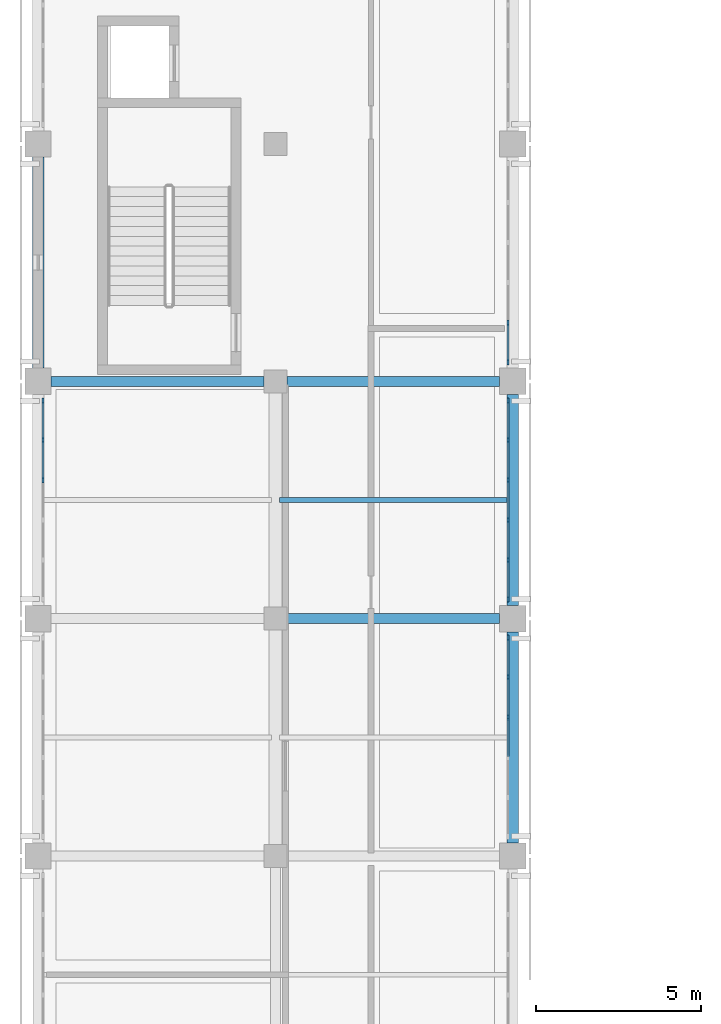
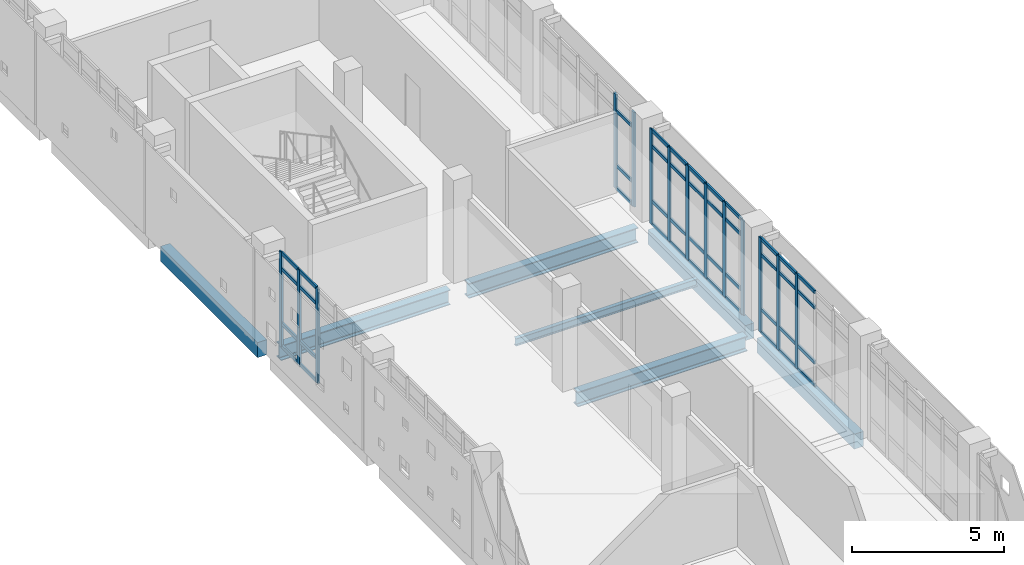
# One storey, part 8 of 33: 57 members, 7 beams, 4 elements without a shape of their own.
"""IFC4 building model written with IfcOpenShell, lengths in metres."""

from ifc_helpers import new_model, si_unit, direction, frame, origin, origin_2d, place, context, subcontext, project, spatial, rectangle, i_section, extrude, material, layer, layer_set, material_profile, profile_set, type_object, element, aggregate, save


model = new_model("IFC4")

# Units and contexts
model_context = context("Model", 3, precision=1e-05, world=origin(), true_north=direction((0.0, 1.0)))
body_context = subcontext(model_context, "Body", "Model", "MODEL_VIEW")
ifc_project = project(units=[si_unit("LENGTHUNIT", "METRE"), si_unit("AREAUNIT", "SQUARE_METRE"), si_unit("VOLUMEUNIT", "CUBIC_METRE"), si_unit("PLANEANGLEUNIT", "RADIAN"), si_unit("MASSUNIT", "GRAM", prefix="KILO")], contexts=[model_context])

# Site, building, storey
site_placement = place(None, origin())
site = spatial("IfcSite", under=ifc_project, at=site_placement, CompositionType="ELEMENT")
building_placement = place(site_placement, origin())
building = spatial("IfcBuilding", under=site, at=building_placement, Name="Valkovuoma Quantum and Materials Research Institute", CompositionType="ELEMENT")
storey_placement = place(building_placement, frame((0.0, 0.0, 21.43994140625)))
storey = spatial("IfcBuildingStorey", under=building, at=storey_placement, Name="L05", CompositionType="ELEMENT", Elevation=21.43994140625)

# Beams
ifc_material_1 = material(Name="Steel S355J2", Category="steel")
ifc_material_profile_1 = material_profile(ifc_material_1, i_section(OverallWidth=0.300048828125, OverallDepth=0.60009765625, WebThickness=0.015380859375, FlangeThickness=0.030029296875, FilletRadius=0.027099609375, at=origin_2d()), Name="Steel S355J2")
ifc_profile_set_1 = profile_set([ifc_material_profile_1], Name="Steel S355J2")
beam_type_1 = type_object("IfcBeamType", Name="Beam-B-HEB600", PredefinedType="BEAM", material=ifc_profile_set_1)
beam_1_placement = place(storey_placement, frame((7.550048828125, 64.800048828125, -0.64990234375), z_axis=(1.0, 0.0, 0.0), x_axis=(0.0, 1.0, 0.0)))
element("IfcBeam", 1, at=beam_1_placement, inside=storey, type_object=beam_type_1, Name="L05 beam X-2137", PredefinedType="BEAM", context=body_context, shape_type="SweptSolid", body=[
    extrude(i_section(OverallWidth=0.300048828125, OverallDepth=0.60009765625, WebThickness=0.015380859375, FlangeThickness=0.030029296875, FilletRadius=0.027099609375, at=origin_2d()), origin(), (0.0, 0.0, 1.0), 6.449951171875),
])
beam_2_placement = place(storey_placement, frame((0.39990234375, 72.0, -0.64990234375), z_axis=(1.0, 0.0, 0.0), x_axis=(0.0, 1.0, 0.0)))
element("IfcBeam", 2, at=beam_2_placement, inside=storey, type_object=beam_type_1, Name="L05 beam X-2142", PredefinedType="BEAM", context=body_context, shape_type="SweptSolid", body=[
    extrude(i_section(OverallWidth=0.300048828125, OverallDepth=0.60009765625, WebThickness=0.015380859375, FlangeThickness=0.030029296875, FilletRadius=0.027099609375, at=origin_2d()), origin(), (0.0, 0.0, 1.0), 6.4501953125),
])
beam_3_placement = place(storey_placement, frame((7.550048828125, 72.0, -0.64990234375), z_axis=(1.0, 0.0, 0.0), x_axis=(0.0, 1.0, 0.0)))
element("IfcBeam", 3, at=beam_3_placement, inside=storey, type_object=beam_type_1, Name="L05 beam X-2143", PredefinedType="BEAM", context=body_context, shape_type="SweptSolid", body=[
    extrude(i_section(OverallWidth=0.300048828125, OverallDepth=0.60009765625, WebThickness=0.015380859375, FlangeThickness=0.030029296875, FilletRadius=0.027099609375, at=origin_2d()), origin(), (0.0, 0.0, 1.0), 6.449951171875),
])
ifc_material_2 = material(Name="Steel S355J2", Category="steel")
ifc_material_profile_2 = material_profile(ifc_material_2, i_section(OverallWidth=0.14990234375, OverallDepth=0.300048828125, WebThickness=0.007080078125, FlangeThickness=0.0107421875, FilletRadius=0.014892578125, at=origin_2d()), Name="Steel S355J2")
ifc_profile_set_2 = profile_set([ifc_material_profile_2], Name="Steel S355J2")
beam_type_2 = type_object("IfcBeamType", Name="Beam-B-JST300", PredefinedType="JOIST", material=ifc_profile_set_2)
beam_4_placement = place(storey_placement, frame((7.320068359375, 68.39990234375, -0.5), z_axis=(1.0, 0.0, 0.0), x_axis=(0.0, 1.0, 0.0)))
element("IfcBeam", 4, at=beam_4_placement, inside=storey, type_object=beam_type_2, Name="L05 floor joist 2287", PredefinedType="JOIST", context=body_context, shape_type="SweptSolid", body=[
    extrude(i_section(OverallWidth=0.14990234375, OverallDepth=0.300048828125, WebThickness=0.007080078125, FlangeThickness=0.0107421875, FilletRadius=0.014892578125, at=origin_2d()), origin(), (0.0, 0.0, 1.0), 6.9599609375),
])
ifc_material_3 = material(Name="Concrete C40/50", Category="concrete")
ifc_material_profile_3 = material_profile(ifc_material_3, rectangle(XDim=0.35009765625, YDim=0.60009765625, at=origin_2d()), Name="Concrete C40/50")
ifc_profile_set_3 = profile_set([ifc_material_profile_3], Name="Concrete C40/50")
beam_type_3 = type_object("IfcBeamType", Name="Beam-B-SPN600", PredefinedType="SPANDREL", material=ifc_profile_set_3)
beam_5_placement = place(storey_placement, frame((0.0, 72.39990234375, -0.64990234375), z_axis=(0.0, 1.0, 0.0), x_axis=(-1.0, 0.0, 0.0)))
element("IfcBeam", 5, at=beam_5_placement, inside=storey, type_object=beam_type_3, Name="L05 beam Y-2185", PredefinedType="SPANDREL", context=body_context, shape_type="SweptSolid", body=[
    extrude(rectangle(XDim=0.35009765625, YDim=0.60009765625, at=origin_2d()), origin(), (0.0, 0.0, 1.0), 6.400146484375),
])
beam_6_placement = place(storey_placement, frame((14.39990234375, 58.0, -0.64990234375), z_axis=(0.0, 1.0, 0.0), x_axis=(-1.0, 0.0, 0.0)))
element("IfcBeam", 6, at=beam_6_placement, inside=storey, type_object=beam_type_3, Name="L05 beam Y-2191", PredefinedType="SPANDREL", context=body_context, shape_type="SweptSolid", body=[
    extrude(rectangle(XDim=0.35009765625, YDim=0.60009765625, at=origin_2d()), origin(), (0.0, 0.0, 1.0), 6.39990234375),
])
beam_7_placement = place(storey_placement, frame((14.39990234375, 65.199951171875, -0.64990234375), z_axis=(0.0, 1.0, 0.0), x_axis=(-1.0, 0.0, 0.0)))
element("IfcBeam", 7, at=beam_7_placement, inside=storey, type_object=beam_type_3, Name="L05 beam Y-2192", PredefinedType="SPANDREL", context=body_context, shape_type="SweptSolid", body=[
    extrude(rectangle(XDim=0.35009765625, YDim=0.60009765625, at=origin_2d()), origin(), (0.0, 0.0, 1.0), 6.400146484375),
])

# Curtain wall, members
ifc_material_4 = material(Name="Thermally broken aluminium and triple low-E glazing", Category="aluminium")
ifc_layer = layer(ifc_material_4, 0.219970703125)
ifc_layer_set = layer_set([ifc_layer], Name="Thermally broken aluminium and triple low-E glazing")
curtain_wall_type = type_object("IfcCurtainWallType", Name="CW-CW-01", PredefinedType="NOTDEFINED", material=ifc_layer_set)
curtain_wall_1_placement = place(storey_placement, origin())
curtain_wall_1 = element("IfcCurtainWall", 8, at=curtain_wall_1_placement, inside=storey, type_object=curtain_wall_type, Name="L05 curtain wall 065", PredefinedType="NOTDEFINED")
ifc_material_5 = material(Name="Anodised aluminium 6060-T66", Category="aluminium")
ifc_material_profile_4 = material_profile(ifc_material_5, rectangle(XDim=0.06494140625, YDim=0.179931640625, at=origin_2d()), Name="Anodised aluminium 6060-T66")
ifc_profile_set_4 = profile_set([ifc_material_profile_4], Name="Anodised aluminium 6060-T66")
member_type_1 = type_object("IfcMemberType", Name="CWMull-CWM-01", PredefinedType="MULLION", material=ifc_profile_set_4)
member_1_placement = place(storey_placement, frame((14.25, 61.80859375, 0.0), z_axis=(0.0, 0.0, 1.0), x_axis=(-1.0, 0.0, 0.0)))
member_1 = element("IfcMember", 9, at=member_1_placement, type_object=member_type_1, Name="CW-01 mullion 4", PredefinedType="MULLION", context=body_context, shape_type="SweptSolid", body=[
    extrude(rectangle(XDim=0.06494140625, YDim=0.179931640625, at=origin_2d()), origin(), (0.0, 0.0, 1.0), 3.81005859375),
])
member_2_placement = place(storey_placement, frame((14.25, 63.025634765625, 0.0), z_axis=(0.0, 0.0, 1.0), x_axis=(-1.0, 0.0, 0.0)))
member_2 = element("IfcMember", 10, at=member_2_placement, type_object=member_type_1, Name="CW-01 mullion 5", PredefinedType="MULLION", context=body_context, shape_type="SweptSolid", body=[
    extrude(rectangle(XDim=0.06494140625, YDim=0.179931640625, at=origin_2d()), origin(), (0.0, 0.0, 1.0), 3.81005859375),
])
member_3_placement = place(storey_placement, frame((14.25, 64.21044921875, 0.0), z_axis=(0.0, 0.0, 1.0), x_axis=(-1.0, 0.0, 0.0)))
member_3 = element("IfcMember", 11, at=member_3_placement, type_object=member_type_1, Name="CW-01 mullion 6", PredefinedType="MULLION", context=body_context, shape_type="SweptSolid", body=[
    extrude(rectangle(XDim=0.06494140625, YDim=0.179931640625, at=origin_2d()), origin(), (0.0, 0.0, 1.0), 3.81005859375),
])

curtain_wall_2_placement = place(storey_placement, origin())
curtain_wall_2 = element("IfcCurtainWall", 12, at=curtain_wall_2_placement, inside=storey, type_object=curtain_wall_type, Name="L05 curtain wall 066", PredefinedType="NOTDEFINED")
member_4_placement = place(storey_placement, frame((0.14990234375, 69.008544921875, 0.0), z_axis=(0.0, 0.0, 1.0), x_axis=(-1.0, 0.0, 0.0)))
member_4 = element("IfcMember", 13, at=member_4_placement, type_object=member_type_1, Name="CW-01 mullion 4", PredefinedType="MULLION", context=body_context, shape_type="SweptSolid", body=[
    extrude(rectangle(XDim=0.06494140625, YDim=0.179931640625, at=origin_2d()), origin(), (0.0, 0.0, 1.0), 3.81005859375),
])
member_5_placement = place(storey_placement, frame((0.14990234375, 70.225830078125, 0.0), z_axis=(0.0, 0.0, 1.0), x_axis=(-1.0, 0.0, 0.0)))
member_5 = element("IfcMember", 14, at=member_5_placement, type_object=member_type_1, Name="CW-01 mullion 5", PredefinedType="MULLION", context=body_context, shape_type="SweptSolid", body=[
    extrude(rectangle(XDim=0.06494140625, YDim=0.179931640625, at=origin_2d()), origin(), (0.0, 0.0, 1.0), 3.81005859375),
])
member_6_placement = place(storey_placement, frame((0.14990234375, 71.410400390625, 0.0), z_axis=(0.0, 0.0, 1.0), x_axis=(-1.0, 0.0, 0.0)))
member_6 = element("IfcMember", 15, at=member_6_placement, type_object=member_type_1, Name="CW-01 mullion 6", PredefinedType="MULLION", context=body_context, shape_type="SweptSolid", body=[
    extrude(rectangle(XDim=0.06494140625, YDim=0.179931640625, at=origin_2d()), origin(), (0.0, 0.0, 1.0), 3.81005859375),
])

curtain_wall_3_placement = place(storey_placement, origin())
curtain_wall_3 = element("IfcCurtainWall", 16, at=curtain_wall_3_placement, inside=storey, type_object=curtain_wall_type, Name="L05 curtain wall 067", PredefinedType="NOTDEFINED")
member_7_placement = place(storey_placement, frame((14.25, 65.3896484375, 0.0), z_axis=(0.0, 0.0, 1.0), x_axis=(-1.0, 0.0, 0.0)))
member_7 = element("IfcMember", 17, at=member_7_placement, type_object=member_type_1, Name="CW-01 mullion 1", PredefinedType="MULLION", context=body_context, shape_type="SweptSolid", body=[
    extrude(rectangle(XDim=0.06494140625, YDim=0.179931640625, at=origin_2d()), origin(), (0.0, 0.0, 1.0), 3.81005859375),
])
member_8_placement = place(storey_placement, frame((14.25, 66.57421875, 0.0), z_axis=(0.0, 0.0, 1.0), x_axis=(-1.0, 0.0, 0.0)))
member_8 = element("IfcMember", 18, at=member_8_placement, type_object=member_type_1, Name="CW-01 mullion 2", PredefinedType="MULLION", context=body_context, shape_type="SweptSolid", body=[
    extrude(rectangle(XDim=0.06494140625, YDim=0.179931640625, at=origin_2d()), origin(), (0.0, 0.0, 1.0), 3.81005859375),
])
member_9_placement = place(storey_placement, frame((14.25, 67.79150390625, 0.0), z_axis=(0.0, 0.0, 1.0), x_axis=(-1.0, 0.0, 0.0)))
member_9 = element("IfcMember", 19, at=member_9_placement, type_object=member_type_1, Name="CW-01 mullion 3", PredefinedType="MULLION", context=body_context, shape_type="SweptSolid", body=[
    extrude(rectangle(XDim=0.06494140625, YDim=0.179931640625, at=origin_2d()), origin(), (0.0, 0.0, 1.0), 3.81005859375),
])
member_10_placement = place(storey_placement, frame((14.25, 69.008544921875, 0.0), z_axis=(0.0, 0.0, 1.0), x_axis=(-1.0, 0.0, 0.0)))
member_10 = element("IfcMember", 20, at=member_10_placement, type_object=member_type_1, Name="CW-01 mullion 4", PredefinedType="MULLION", context=body_context, shape_type="SweptSolid", body=[
    extrude(rectangle(XDim=0.06494140625, YDim=0.179931640625, at=origin_2d()), origin(), (0.0, 0.0, 1.0), 3.81005859375),
])
member_11_placement = place(storey_placement, frame((14.25, 70.225830078125, 0.0), z_axis=(0.0, 0.0, 1.0), x_axis=(-1.0, 0.0, 0.0)))
member_11 = element("IfcMember", 21, at=member_11_placement, type_object=member_type_1, Name="CW-01 mullion 5", PredefinedType="MULLION", context=body_context, shape_type="SweptSolid", body=[
    extrude(rectangle(XDim=0.06494140625, YDim=0.179931640625, at=origin_2d()), origin(), (0.0, 0.0, 1.0), 3.81005859375),
])
member_12_placement = place(storey_placement, frame((14.25, 71.410400390625, 0.0), z_axis=(0.0, 0.0, 1.0), x_axis=(-1.0, 0.0, 0.0)))
member_12 = element("IfcMember", 22, at=member_12_placement, type_object=member_type_1, Name="CW-01 mullion 6", PredefinedType="MULLION", context=body_context, shape_type="SweptSolid", body=[
    extrude(rectangle(XDim=0.06494140625, YDim=0.179931640625, at=origin_2d()), origin(), (0.0, 0.0, 1.0), 3.81005859375),
])

curtain_wall_4_placement = place(storey_placement, origin())
curtain_wall_4 = element("IfcCurtainWall", 23, at=curtain_wall_4_placement, inside=storey, type_object=curtain_wall_type, Name="L05 curtain wall 068", PredefinedType="NOTDEFINED")
member_13_placement = place(storey_placement, frame((14.25, 72.589599609375, 0.0), z_axis=(0.0, 0.0, 1.0), x_axis=(-1.0, 0.0, 0.0)))
member_13 = element("IfcMember", 24, at=member_13_placement, type_object=member_type_1, Name="CW-01 mullion 1", PredefinedType="MULLION", context=body_context, shape_type="SweptSolid", body=[
    extrude(rectangle(XDim=0.06494140625, YDim=0.179931640625, at=origin_2d()), origin(), (0.0, 0.0, 1.0), 3.81005859375),
])
member_14_placement = place(storey_placement, frame((14.25, 73.774169921875, 0.0), z_axis=(0.0, 0.0, 1.0), x_axis=(-1.0, 0.0, 0.0)))
member_14 = element("IfcMember", 25, at=member_14_placement, type_object=member_type_1, Name="CW-01 mullion 2", PredefinedType="MULLION", context=body_context, shape_type="SweptSolid", body=[
    extrude(rectangle(XDim=0.06494140625, YDim=0.179931640625, at=origin_2d()), origin(), (0.0, 0.0, 1.0), 3.81005859375),
])

# Member
ifc_material_6 = material(Name="Anodised aluminium 6060-T66", Category="aluminium")
ifc_material_profile_5 = material_profile(ifc_material_6, rectangle(XDim=0.06494140625, YDim=0.139892578125, at=origin_2d()), Name="Anodised aluminium 6060-T66")
ifc_profile_set_5 = profile_set([ifc_material_profile_5], Name="Anodised aluminium 6060-T66")
member_type_2 = type_object("IfcMemberType", Name="CWTran-CWT-01", PredefinedType="USERDEFINED", material=ifc_profile_set_5)
member_15_placement = place(storey_placement, frame((14.25, 60.6240234375, 0.032470703125), z_axis=(0.0, 1.0, 0.0), x_axis=(-1.0, 0.0, 0.0)))
member_15 = element("IfcMember", 26, at=member_15_placement, type_object=member_type_2, Name="CW-01 transom 3.1", ObjectType="TRANSOM", PredefinedType="USERDEFINED", context=body_context, shape_type="SweptSolid", body=[
    extrude(rectangle(XDim=0.06494140625, YDim=0.139892578125, at=origin_2d()), origin(), (0.0, 0.0, 1.0), 1.152099609375),
])

member_16_placement = place(storey_placement, frame((14.25, 60.6240234375, 0.949951171875), z_axis=(0.0, 1.0, 0.0), x_axis=(-1.0, 0.0, 0.0)))
member_16 = element("IfcMember", 27, at=member_16_placement, type_object=member_type_2, Name="CW-01 transom 3.2", ObjectType="TRANSOM", PredefinedType="USERDEFINED", context=body_context, shape_type="SweptSolid", body=[
    extrude(rectangle(XDim=0.06494140625, YDim=0.139892578125, at=origin_2d()), origin(), (0.0, 0.0, 1.0), 1.152099609375),
])

member_17_placement = place(storey_placement, frame((14.25, 60.6240234375, 3.16015625), z_axis=(0.0, 1.0, 0.0), x_axis=(-1.0, 0.0, 0.0)))
member_17 = element("IfcMember", 28, at=member_17_placement, type_object=member_type_2, Name="CW-01 transom 3.3", ObjectType="TRANSOM", PredefinedType="USERDEFINED", context=body_context, shape_type="SweptSolid", body=[
    extrude(rectangle(XDim=0.06494140625, YDim=0.139892578125, at=origin_2d()), origin(), (0.0, 0.0, 1.0), 1.152099609375),
])

member_18_placement = place(storey_placement, frame((14.25, 60.6240234375, 3.777587890625), z_axis=(0.0, 1.0, 0.0), x_axis=(-1.0, 0.0, 0.0)))
member_18 = element("IfcMember", 29, at=member_18_placement, type_object=member_type_2, Name="CW-01 transom 3.4", ObjectType="TRANSOM", PredefinedType="USERDEFINED", context=body_context, shape_type="SweptSolid", body=[
    extrude(rectangle(XDim=0.06494140625, YDim=0.139892578125, at=origin_2d()), origin(), (0.0, 0.0, 1.0), 1.152099609375),
])

member_19_placement = place(storey_placement, frame((14.25, 61.841064453125, 0.032470703125), z_axis=(0.0, 1.0, 0.0), x_axis=(-1.0, 0.0, 0.0)))
member_19 = element("IfcMember", 30, at=member_19_placement, type_object=member_type_2, Name="CW-01 transom 4.1", ObjectType="TRANSOM", PredefinedType="USERDEFINED", context=body_context, shape_type="SweptSolid", body=[
    extrude(rectangle(XDim=0.06494140625, YDim=0.139892578125, at=origin_2d()), origin(), (0.0, 0.0, 1.0), 1.152099609375),
])

member_20_placement = place(storey_placement, frame((14.25, 61.841064453125, 0.949951171875), z_axis=(0.0, 1.0, 0.0), x_axis=(-1.0, 0.0, 0.0)))
member_20 = element("IfcMember", 31, at=member_20_placement, type_object=member_type_2, Name="CW-01 transom 4.2", ObjectType="TRANSOM", PredefinedType="USERDEFINED", context=body_context, shape_type="SweptSolid", body=[
    extrude(rectangle(XDim=0.06494140625, YDim=0.139892578125, at=origin_2d()), origin(), (0.0, 0.0, 1.0), 1.152099609375),
])

member_21_placement = place(storey_placement, frame((14.25, 61.841064453125, 3.16015625), z_axis=(0.0, 1.0, 0.0), x_axis=(-1.0, 0.0, 0.0)))
member_21 = element("IfcMember", 32, at=member_21_placement, type_object=member_type_2, Name="CW-01 transom 4.3", ObjectType="TRANSOM", PredefinedType="USERDEFINED", context=body_context, shape_type="SweptSolid", body=[
    extrude(rectangle(XDim=0.06494140625, YDim=0.139892578125, at=origin_2d()), origin(), (0.0, 0.0, 1.0), 1.152099609375),
])

member_22_placement = place(storey_placement, frame((14.25, 61.841064453125, 3.777587890625), z_axis=(0.0, 1.0, 0.0), x_axis=(-1.0, 0.0, 0.0)))
member_22 = element("IfcMember", 33, at=member_22_placement, type_object=member_type_2, Name="CW-01 transom 4.4", ObjectType="TRANSOM", PredefinedType="USERDEFINED", context=body_context, shape_type="SweptSolid", body=[
    extrude(rectangle(XDim=0.06494140625, YDim=0.139892578125, at=origin_2d()), origin(), (0.0, 0.0, 1.0), 1.152099609375),
])

member_23_placement = place(storey_placement, frame((14.25, 63.058349609375, 0.032470703125), z_axis=(0.0, 1.0, 0.0), x_axis=(-1.0, 0.0, 0.0)))
member_23 = element("IfcMember", 34, at=member_23_placement, type_object=member_type_2, Name="CW-01 transom 5.1", ObjectType="TRANSOM", PredefinedType="USERDEFINED", context=body_context, shape_type="SweptSolid", body=[
    extrude(rectangle(XDim=0.06494140625, YDim=0.139892578125, at=origin_2d()), origin(), (0.0, 0.0, 1.0), 1.11962890625),
])

member_24_placement = place(storey_placement, frame((14.25, 63.058349609375, 0.949951171875), z_axis=(0.0, 1.0, 0.0), x_axis=(-1.0, 0.0, 0.0)))
member_24 = element("IfcMember", 35, at=member_24_placement, type_object=member_type_2, Name="CW-01 transom 5.2", ObjectType="TRANSOM", PredefinedType="USERDEFINED", context=body_context, shape_type="SweptSolid", body=[
    extrude(rectangle(XDim=0.06494140625, YDim=0.139892578125, at=origin_2d()), origin(), (0.0, 0.0, 1.0), 1.11962890625),
])

member_25_placement = place(storey_placement, frame((14.25, 63.058349609375, 3.16015625), z_axis=(0.0, 1.0, 0.0), x_axis=(-1.0, 0.0, 0.0)))
member_25 = element("IfcMember", 36, at=member_25_placement, type_object=member_type_2, Name="CW-01 transom 5.3", ObjectType="TRANSOM", PredefinedType="USERDEFINED", context=body_context, shape_type="SweptSolid", body=[
    extrude(rectangle(XDim=0.06494140625, YDim=0.139892578125, at=origin_2d()), origin(), (0.0, 0.0, 1.0), 1.11962890625),
])

member_26_placement = place(storey_placement, frame((14.25, 63.058349609375, 3.777587890625), z_axis=(0.0, 1.0, 0.0), x_axis=(-1.0, 0.0, 0.0)))
member_26 = element("IfcMember", 37, at=member_26_placement, type_object=member_type_2, Name="CW-01 transom 5.4", ObjectType="TRANSOM", PredefinedType="USERDEFINED", context=body_context, shape_type="SweptSolid", body=[
    extrude(rectangle(XDim=0.06494140625, YDim=0.139892578125, at=origin_2d()), origin(), (0.0, 0.0, 1.0), 1.11962890625),
])

aggregate(curtain_wall_1, [member_1, member_2, member_3, member_15, member_16, member_17, member_18, member_19, member_20, member_21, member_22, member_23, member_24, member_25, member_26])

member_27_placement = place(storey_placement, frame((0.14990234375, 69.041015625, 0.032470703125), z_axis=(0.0, 1.0, 0.0), x_axis=(-1.0, 0.0, 0.0)))
member_27 = element("IfcMember", 38, at=member_27_placement, type_object=member_type_2, Name="CW-01 transom 4.1", ObjectType="TRANSOM", PredefinedType="USERDEFINED", context=body_context, shape_type="SweptSolid", body=[
    extrude(rectangle(XDim=0.06494140625, YDim=0.139892578125, at=origin_2d()), origin(), (0.0, 0.0, 1.0), 1.15234375),
])

member_28_placement = place(storey_placement, frame((0.14990234375, 69.041015625, 0.949951171875), z_axis=(0.0, 1.0, 0.0), x_axis=(-1.0, 0.0, 0.0)))
member_28 = element("IfcMember", 39, at=member_28_placement, type_object=member_type_2, Name="CW-01 transom 4.2", ObjectType="TRANSOM", PredefinedType="USERDEFINED", context=body_context, shape_type="SweptSolid", body=[
    extrude(rectangle(XDim=0.06494140625, YDim=0.139892578125, at=origin_2d()), origin(), (0.0, 0.0, 1.0), 1.15234375),
])

member_29_placement = place(storey_placement, frame((0.14990234375, 69.041015625, 3.16015625), z_axis=(0.0, 1.0, 0.0), x_axis=(-1.0, 0.0, 0.0)))
member_29 = element("IfcMember", 40, at=member_29_placement, type_object=member_type_2, Name="CW-01 transom 4.3", ObjectType="TRANSOM", PredefinedType="USERDEFINED", context=body_context, shape_type="SweptSolid", body=[
    extrude(rectangle(XDim=0.06494140625, YDim=0.139892578125, at=origin_2d()), origin(), (0.0, 0.0, 1.0), 1.15234375),
])

member_30_placement = place(storey_placement, frame((0.14990234375, 69.041015625, 3.777587890625), z_axis=(0.0, 1.0, 0.0), x_axis=(-1.0, 0.0, 0.0)))
member_30 = element("IfcMember", 41, at=member_30_placement, type_object=member_type_2, Name="CW-01 transom 4.4", ObjectType="TRANSOM", PredefinedType="USERDEFINED", context=body_context, shape_type="SweptSolid", body=[
    extrude(rectangle(XDim=0.06494140625, YDim=0.139892578125, at=origin_2d()), origin(), (0.0, 0.0, 1.0), 1.15234375),
])

member_31_placement = place(storey_placement, frame((0.14990234375, 70.25830078125, 0.032470703125), z_axis=(0.0, 1.0, 0.0), x_axis=(-1.0, 0.0, 0.0)))
member_31 = element("IfcMember", 42, at=member_31_placement, type_object=member_type_2, Name="CW-01 transom 5.1", ObjectType="TRANSOM", PredefinedType="USERDEFINED", context=body_context, shape_type="SweptSolid", body=[
    extrude(rectangle(XDim=0.06494140625, YDim=0.139892578125, at=origin_2d()), origin(), (0.0, 0.0, 1.0), 1.11962890625),
])

member_32_placement = place(storey_placement, frame((0.14990234375, 70.25830078125, 0.949951171875), z_axis=(0.0, 1.0, 0.0), x_axis=(-1.0, 0.0, 0.0)))
member_32 = element("IfcMember", 43, at=member_32_placement, type_object=member_type_2, Name="CW-01 transom 5.2", ObjectType="TRANSOM", PredefinedType="USERDEFINED", context=body_context, shape_type="SweptSolid", body=[
    extrude(rectangle(XDim=0.06494140625, YDim=0.139892578125, at=origin_2d()), origin(), (0.0, 0.0, 1.0), 1.11962890625),
])

member_33_placement = place(storey_placement, frame((0.14990234375, 70.25830078125, 3.16015625), z_axis=(0.0, 1.0, 0.0), x_axis=(-1.0, 0.0, 0.0)))
member_33 = element("IfcMember", 44, at=member_33_placement, type_object=member_type_2, Name="CW-01 transom 5.3", ObjectType="TRANSOM", PredefinedType="USERDEFINED", context=body_context, shape_type="SweptSolid", body=[
    extrude(rectangle(XDim=0.06494140625, YDim=0.139892578125, at=origin_2d()), origin(), (0.0, 0.0, 1.0), 1.11962890625),
])

member_34_placement = place(storey_placement, frame((0.14990234375, 70.25830078125, 3.777587890625), z_axis=(0.0, 1.0, 0.0), x_axis=(-1.0, 0.0, 0.0)))
member_34 = element("IfcMember", 45, at=member_34_placement, type_object=member_type_2, Name="CW-01 transom 5.4", ObjectType="TRANSOM", PredefinedType="USERDEFINED", context=body_context, shape_type="SweptSolid", body=[
    extrude(rectangle(XDim=0.06494140625, YDim=0.139892578125, at=origin_2d()), origin(), (0.0, 0.0, 1.0), 1.11962890625),
])

aggregate(curtain_wall_2, [member_4, member_5, member_6, member_27, member_28, member_29, member_30, member_31, member_32, member_33, member_34])

member_35_placement = place(storey_placement, frame((14.25, 65.422119140625, 0.032470703125), z_axis=(0.0, 1.0, 0.0), x_axis=(-1.0, 0.0, 0.0)))
member_35 = element("IfcMember", 46, at=member_35_placement, type_object=member_type_2, Name="CW-01 transom 1.1", ObjectType="TRANSOM", PredefinedType="USERDEFINED", context=body_context, shape_type="SweptSolid", body=[
    extrude(rectangle(XDim=0.06494140625, YDim=0.139892578125, at=origin_2d()), origin(), (0.0, 0.0, 1.0), 1.11962890625),
])

member_36_placement = place(storey_placement, frame((14.25, 65.422119140625, 0.949951171875), z_axis=(0.0, 1.0, 0.0), x_axis=(-1.0, 0.0, 0.0)))
member_36 = element("IfcMember", 47, at=member_36_placement, type_object=member_type_2, Name="CW-01 transom 1.2", ObjectType="TRANSOM", PredefinedType="USERDEFINED", context=body_context, shape_type="SweptSolid", body=[
    extrude(rectangle(XDim=0.06494140625, YDim=0.139892578125, at=origin_2d()), origin(), (0.0, 0.0, 1.0), 1.11962890625),
])

member_37_placement = place(storey_placement, frame((14.25, 65.422119140625, 3.16015625), z_axis=(0.0, 1.0, 0.0), x_axis=(-1.0, 0.0, 0.0)))
member_37 = element("IfcMember", 48, at=member_37_placement, type_object=member_type_2, Name="CW-01 transom 1.3", ObjectType="TRANSOM", PredefinedType="USERDEFINED", context=body_context, shape_type="SweptSolid", body=[
    extrude(rectangle(XDim=0.06494140625, YDim=0.139892578125, at=origin_2d()), origin(), (0.0, 0.0, 1.0), 1.11962890625),
])

member_38_placement = place(storey_placement, frame((14.25, 65.422119140625, 3.777587890625), z_axis=(0.0, 1.0, 0.0), x_axis=(-1.0, 0.0, 0.0)))
member_38 = element("IfcMember", 49, at=member_38_placement, type_object=member_type_2, Name="CW-01 transom 1.4", ObjectType="TRANSOM", PredefinedType="USERDEFINED", context=body_context, shape_type="SweptSolid", body=[
    extrude(rectangle(XDim=0.06494140625, YDim=0.139892578125, at=origin_2d()), origin(), (0.0, 0.0, 1.0), 1.11962890625),
])

member_39_placement = place(storey_placement, frame((14.25, 66.606689453125, 0.032470703125), z_axis=(0.0, 1.0, 0.0), x_axis=(-1.0, 0.0, 0.0)))
member_39 = element("IfcMember", 50, at=member_39_placement, type_object=member_type_2, Name="CW-01 transom 2.1", ObjectType="TRANSOM", PredefinedType="USERDEFINED", context=body_context, shape_type="SweptSolid", body=[
    extrude(rectangle(XDim=0.06494140625, YDim=0.139892578125, at=origin_2d()), origin(), (0.0, 0.0, 1.0), 1.15234375),
])

member_40_placement = place(storey_placement, frame((14.25, 66.606689453125, 0.949951171875), z_axis=(0.0, 1.0, 0.0), x_axis=(-1.0, 0.0, 0.0)))
member_40 = element("IfcMember", 51, at=member_40_placement, type_object=member_type_2, Name="CW-01 transom 2.2", ObjectType="TRANSOM", PredefinedType="USERDEFINED", context=body_context, shape_type="SweptSolid", body=[
    extrude(rectangle(XDim=0.06494140625, YDim=0.139892578125, at=origin_2d()), origin(), (0.0, 0.0, 1.0), 1.15234375),
])

member_41_placement = place(storey_placement, frame((14.25, 66.606689453125, 3.16015625), z_axis=(0.0, 1.0, 0.0), x_axis=(-1.0, 0.0, 0.0)))
member_41 = element("IfcMember", 52, at=member_41_placement, type_object=member_type_2, Name="CW-01 transom 2.3", ObjectType="TRANSOM", PredefinedType="USERDEFINED", context=body_context, shape_type="SweptSolid", body=[
    extrude(rectangle(XDim=0.06494140625, YDim=0.139892578125, at=origin_2d()), origin(), (0.0, 0.0, 1.0), 1.15234375),
])

member_42_placement = place(storey_placement, frame((14.25, 66.606689453125, 3.777587890625), z_axis=(0.0, 1.0, 0.0), x_axis=(-1.0, 0.0, 0.0)))
member_42 = element("IfcMember", 53, at=member_42_placement, type_object=member_type_2, Name="CW-01 transom 2.4", ObjectType="TRANSOM", PredefinedType="USERDEFINED", context=body_context, shape_type="SweptSolid", body=[
    extrude(rectangle(XDim=0.06494140625, YDim=0.139892578125, at=origin_2d()), origin(), (0.0, 0.0, 1.0), 1.15234375),
])

member_43_placement = place(storey_placement, frame((14.25, 67.823974609375, 0.032470703125), z_axis=(0.0, 1.0, 0.0), x_axis=(-1.0, 0.0, 0.0)))
member_43 = element("IfcMember", 54, at=member_43_placement, type_object=member_type_2, Name="CW-01 transom 3.1", ObjectType="TRANSOM", PredefinedType="USERDEFINED", context=body_context, shape_type="SweptSolid", body=[
    extrude(rectangle(XDim=0.06494140625, YDim=0.139892578125, at=origin_2d()), origin(), (0.0, 0.0, 1.0), 1.152099609375),
])

member_44_placement = place(storey_placement, frame((14.25, 67.823974609375, 0.949951171875), z_axis=(0.0, 1.0, 0.0), x_axis=(-1.0, 0.0, 0.0)))
member_44 = element("IfcMember", 55, at=member_44_placement, type_object=member_type_2, Name="CW-01 transom 3.2", ObjectType="TRANSOM", PredefinedType="USERDEFINED", context=body_context, shape_type="SweptSolid", body=[
    extrude(rectangle(XDim=0.06494140625, YDim=0.139892578125, at=origin_2d()), origin(), (0.0, 0.0, 1.0), 1.152099609375),
])

member_45_placement = place(storey_placement, frame((14.25, 67.823974609375, 3.16015625), z_axis=(0.0, 1.0, 0.0), x_axis=(-1.0, 0.0, 0.0)))
member_45 = element("IfcMember", 56, at=member_45_placement, type_object=member_type_2, Name="CW-01 transom 3.3", ObjectType="TRANSOM", PredefinedType="USERDEFINED", context=body_context, shape_type="SweptSolid", body=[
    extrude(rectangle(XDim=0.06494140625, YDim=0.139892578125, at=origin_2d()), origin(), (0.0, 0.0, 1.0), 1.152099609375),
])

member_46_placement = place(storey_placement, frame((14.25, 67.823974609375, 3.777587890625), z_axis=(0.0, 1.0, 0.0), x_axis=(-1.0, 0.0, 0.0)))
member_46 = element("IfcMember", 57, at=member_46_placement, type_object=member_type_2, Name="CW-01 transom 3.4", ObjectType="TRANSOM", PredefinedType="USERDEFINED", context=body_context, shape_type="SweptSolid", body=[
    extrude(rectangle(XDim=0.06494140625, YDim=0.139892578125, at=origin_2d()), origin(), (0.0, 0.0, 1.0), 1.152099609375),
])

member_47_placement = place(storey_placement, frame((14.25, 69.041015625, 0.032470703125), z_axis=(0.0, 1.0, 0.0), x_axis=(-1.0, 0.0, 0.0)))
member_47 = element("IfcMember", 58, at=member_47_placement, type_object=member_type_2, Name="CW-01 transom 4.1", ObjectType="TRANSOM", PredefinedType="USERDEFINED", context=body_context, shape_type="SweptSolid", body=[
    extrude(rectangle(XDim=0.06494140625, YDim=0.139892578125, at=origin_2d()), origin(), (0.0, 0.0, 1.0), 1.15234375),
])

member_48_placement = place(storey_placement, frame((14.25, 69.041015625, 0.949951171875), z_axis=(0.0, 1.0, 0.0), x_axis=(-1.0, 0.0, 0.0)))
member_48 = element("IfcMember", 59, at=member_48_placement, type_object=member_type_2, Name="CW-01 transom 4.2", ObjectType="TRANSOM", PredefinedType="USERDEFINED", context=body_context, shape_type="SweptSolid", body=[
    extrude(rectangle(XDim=0.06494140625, YDim=0.139892578125, at=origin_2d()), origin(), (0.0, 0.0, 1.0), 1.15234375),
])

member_49_placement = place(storey_placement, frame((14.25, 69.041015625, 3.16015625), z_axis=(0.0, 1.0, 0.0), x_axis=(-1.0, 0.0, 0.0)))
member_49 = element("IfcMember", 60, at=member_49_placement, type_object=member_type_2, Name="CW-01 transom 4.3", ObjectType="TRANSOM", PredefinedType="USERDEFINED", context=body_context, shape_type="SweptSolid", body=[
    extrude(rectangle(XDim=0.06494140625, YDim=0.139892578125, at=origin_2d()), origin(), (0.0, 0.0, 1.0), 1.15234375),
])

member_50_placement = place(storey_placement, frame((14.25, 69.041015625, 3.777587890625), z_axis=(0.0, 1.0, 0.0), x_axis=(-1.0, 0.0, 0.0)))
member_50 = element("IfcMember", 61, at=member_50_placement, type_object=member_type_2, Name="CW-01 transom 4.4", ObjectType="TRANSOM", PredefinedType="USERDEFINED", context=body_context, shape_type="SweptSolid", body=[
    extrude(rectangle(XDim=0.06494140625, YDim=0.139892578125, at=origin_2d()), origin(), (0.0, 0.0, 1.0), 1.15234375),
])

member_51_placement = place(storey_placement, frame((14.25, 70.25830078125, 0.032470703125), z_axis=(0.0, 1.0, 0.0), x_axis=(-1.0, 0.0, 0.0)))
member_51 = element("IfcMember", 62, at=member_51_placement, type_object=member_type_2, Name="CW-01 transom 5.1", ObjectType="TRANSOM", PredefinedType="USERDEFINED", context=body_context, shape_type="SweptSolid", body=[
    extrude(rectangle(XDim=0.06494140625, YDim=0.139892578125, at=origin_2d()), origin(), (0.0, 0.0, 1.0), 1.11962890625),
])

member_52_placement = place(storey_placement, frame((14.25, 70.25830078125, 0.949951171875), z_axis=(0.0, 1.0, 0.0), x_axis=(-1.0, 0.0, 0.0)))
member_52 = element("IfcMember", 63, at=member_52_placement, type_object=member_type_2, Name="CW-01 transom 5.2", ObjectType="TRANSOM", PredefinedType="USERDEFINED", context=body_context, shape_type="SweptSolid", body=[
    extrude(rectangle(XDim=0.06494140625, YDim=0.139892578125, at=origin_2d()), origin(), (0.0, 0.0, 1.0), 1.11962890625),
])

member_53_placement = place(storey_placement, frame((14.25, 70.25830078125, 3.16015625), z_axis=(0.0, 1.0, 0.0), x_axis=(-1.0, 0.0, 0.0)))
member_53 = element("IfcMember", 64, at=member_53_placement, type_object=member_type_2, Name="CW-01 transom 5.3", ObjectType="TRANSOM", PredefinedType="USERDEFINED", context=body_context, shape_type="SweptSolid", body=[
    extrude(rectangle(XDim=0.06494140625, YDim=0.139892578125, at=origin_2d()), origin(), (0.0, 0.0, 1.0), 1.11962890625),
])

member_54_placement = place(storey_placement, frame((14.25, 70.25830078125, 3.777587890625), z_axis=(0.0, 1.0, 0.0), x_axis=(-1.0, 0.0, 0.0)))
member_54 = element("IfcMember", 65, at=member_54_placement, type_object=member_type_2, Name="CW-01 transom 5.4", ObjectType="TRANSOM", PredefinedType="USERDEFINED", context=body_context, shape_type="SweptSolid", body=[
    extrude(rectangle(XDim=0.06494140625, YDim=0.139892578125, at=origin_2d()), origin(), (0.0, 0.0, 1.0), 1.11962890625),
])

aggregate(curtain_wall_3, [member_7, member_8, member_9, member_10, member_11, member_12, member_35, member_36, member_37, member_38, member_39, member_40, member_41, member_42, member_43, member_44, member_45, member_46, member_47, member_48, member_49, member_50, member_51, member_52, member_53, member_54])

member_55_placement = place(storey_placement, frame((14.25, 72.6220703125, 0.032470703125), z_axis=(0.0, 1.0, 0.0), x_axis=(-1.0, 0.0, 0.0)))
member_55 = element("IfcMember", 66, at=member_55_placement, type_object=member_type_2, Name="CW-01 transom 1.1", ObjectType="TRANSOM", PredefinedType="USERDEFINED", context=body_context, shape_type="SweptSolid", body=[
    extrude(rectangle(XDim=0.06494140625, YDim=0.139892578125, at=origin_2d()), origin(), (0.0, 0.0, 1.0), 1.11962890625),
])

member_56_placement = place(storey_placement, frame((14.25, 72.6220703125, 0.949951171875), z_axis=(0.0, 1.0, 0.0), x_axis=(-1.0, 0.0, 0.0)))
member_56 = element("IfcMember", 67, at=member_56_placement, type_object=member_type_2, Name="CW-01 transom 1.2", ObjectType="TRANSOM", PredefinedType="USERDEFINED", context=body_context, shape_type="SweptSolid", body=[
    extrude(rectangle(XDim=0.06494140625, YDim=0.139892578125, at=origin_2d()), origin(), (0.0, 0.0, 1.0), 1.11962890625),
])

member_57_placement = place(storey_placement, frame((14.25, 72.6220703125, 3.16015625), z_axis=(0.0, 1.0, 0.0), x_axis=(-1.0, 0.0, 0.0)))
member_57 = element("IfcMember", 68, at=member_57_placement, type_object=member_type_2, Name="CW-01 transom 1.3", ObjectType="TRANSOM", PredefinedType="USERDEFINED", context=body_context, shape_type="SweptSolid", body=[
    extrude(rectangle(XDim=0.06494140625, YDim=0.139892578125, at=origin_2d()), origin(), (0.0, 0.0, 1.0), 1.11962890625),
])

aggregate(curtain_wall_4, [member_13, member_14, member_55, member_56, member_57])

save(model, "model.ifc")
